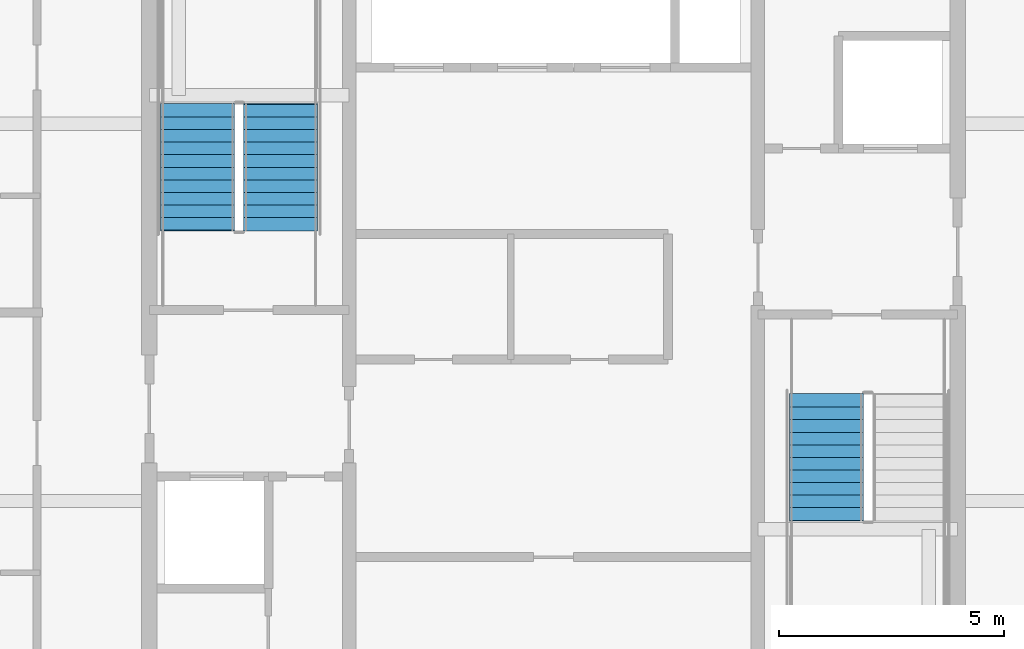
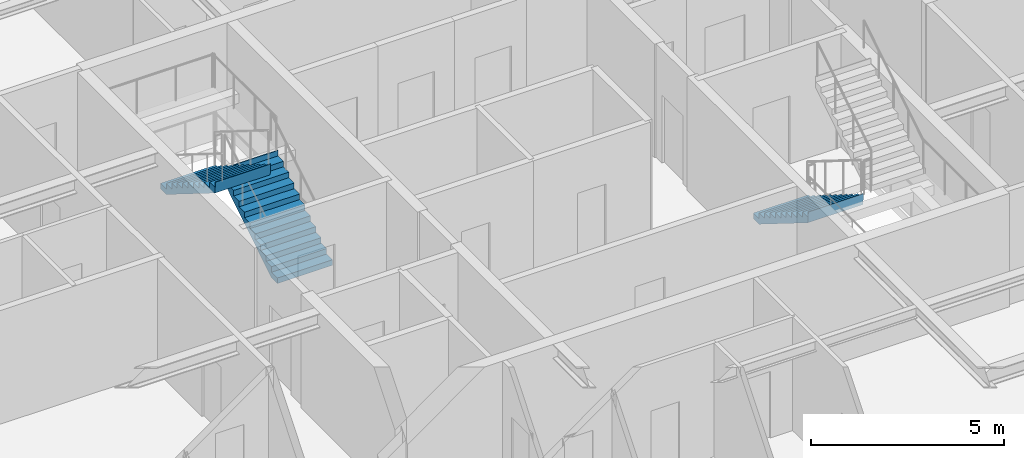
# One storey, part 31 of 38: 3 stair flights, 2 elements without a shape of their own.
"""IFC4 building model written with IfcOpenShell, lengths in metres."""

from ifc_helpers import new_model, si_unit, direction, frame, origin, place, context, subcontext, project, spatial, polygons, material, type_object, element, aggregate, save


model = new_model("IFC4")

# Units and contexts
model_context = context("Model", 3, precision=1e-05, world=origin(), true_north=direction((0.0, 1.0)))
body_context = subcontext(model_context, "Body", "Model", "MODEL_VIEW")
ifc_project = project(units=[si_unit("LENGTHUNIT", "METRE"), si_unit("AREAUNIT", "SQUARE_METRE"), si_unit("VOLUMEUNIT", "CUBIC_METRE"), si_unit("PLANEANGLEUNIT", "RADIAN"), si_unit("MASSUNIT", "GRAM", prefix="KILO")], contexts=[model_context])

# Site, building, storey
site_placement = place(None, origin())
site = spatial("IfcSite", under=ifc_project, at=site_placement, CompositionType="ELEMENT")
building_placement = place(site_placement, origin())
building = spatial("IfcBuilding", under=site, at=building_placement, Name="Serunith Strait Residences", CompositionType="ELEMENT")
storey_placement = place(building_placement, frame((0.0, 0.0, 264.35009765625)))
storey = spatial("IfcBuildingStorey", under=building, at=storey_placement, Name="L66", CompositionType="ELEMENT", Elevation=264.35009765625)

# Stair, stair flights
ifc_material = material(Name="Concrete C50/60", Category="concrete")
stair_type_1 = type_object("IfcStairType", Name="STR-CORE-1", PredefinedType="HALF_TURN_STAIR", material=ifc_material)
stair_1_placement = place(storey_placement, origin())
stair_1 = element("IfcStair", 1, at=stair_1_placement, inside=storey, type_object=stair_type_1, Name="L66 Protected Escape Stair ST-1", PredefinedType="HALF_TURN_STAIR")
stair_flight_type_1 = type_object("IfcStairFlightType", Name="FLT-CORE-1", PredefinedType="STRAIGHT", material=ifc_material)
stair_flight_1_placement = place(storey_placement, frame((26.324951171875, 27.030029296875, 0.0), z_axis=(0.0, 0.0, 1.0), x_axis=(0.0, 1.0, 0.0)))
stair_flight_1 = element("IfcStairFlight", 2, at=stair_flight_1_placement, type_object=stair_flight_type_1, Name="ST-1 flight 1", NumberOfRisers=11, NumberOfTreads=10, PredefinedType="STRAIGHT", RiserHeight=0.175, TreadLength=0.28, context=body_context, shape_type="Tessellation", body=[
    polygons([(-0.02001953125, -0.824951171875, 0.0), (-0.02001953125, -0.824951171875, 0.175048828125), (0.280029296875, -0.824951171875, 0.175048828125), (0.280029296875, -0.824951171875, 0.35009765625), (0.56005859375, -0.824951171875, 0.35009765625), (0.56005859375, -0.824951171875, 0.52490234375), (0.840087890625, -0.824951171875, 0.52490234375), (0.840087890625, -0.824951171875, 0.699951171875), (1.1201171875, -0.824951171875, 0.699951171875), (1.1201171875, -0.824951171875, 0.875), (1.39990234375, -0.824951171875, 0.875), (1.39990234375, -0.824951171875, 1.050048828125), (1.679931640625, -0.824951171875, 1.050048828125), (1.679931640625, -0.824951171875, 1.22509765625), (1.9599609375, -0.824951171875, 1.22509765625), (1.9599609375, -0.824951171875, 1.39990234375), (2.239990234375, -0.824951171875, 1.39990234375), (2.239990234375, -0.824951171875, 1.574951171875), (2.52001953125, -0.824951171875, 1.574951171875), (2.52001953125, -0.824951171875, 1.75), (2.800048828125, -0.824951171875, 1.75), (2.800048828125, -0.824951171875, 1.925048828125), (2.820068359375, -0.824951171875, 1.925048828125), (2.820068359375, -0.824951171875, 1.864990234375), (2.800048828125, -0.824951171875, 1.5732421875), (0.28271484375, -0.824951171875, 0.0), (-0.02001953125, -0.41259765625, 0.0), (-0.02001953125, -0.41259765625, 0.175048828125), (0.280029296875, -0.41259765625, 0.175048828125), (0.280029296875, -0.41259765625, 0.35009765625), (0.56005859375, -0.41259765625, 0.35009765625), (0.56005859375, -0.41259765625, 0.52490234375), (0.840087890625, -0.41259765625, 0.52490234375), (0.840087890625, -0.41259765625, 0.699951171875), (1.1201171875, -0.41259765625, 0.699951171875), (1.1201171875, -0.41259765625, 0.875), (1.39990234375, -0.41259765625, 0.875), (1.39990234375, -0.41259765625, 1.050048828125), (1.679931640625, -0.41259765625, 1.050048828125), (1.679931640625, -0.41259765625, 1.22509765625), (1.9599609375, -0.41259765625, 1.22509765625), (1.9599609375, -0.41259765625, 1.39990234375), (2.239990234375, -0.41259765625, 1.39990234375), (2.239990234375, -0.41259765625, 1.574951171875), (2.52001953125, -0.41259765625, 1.574951171875), (2.52001953125, -0.41259765625, 1.75), (2.800048828125, -0.41259765625, 1.75), (2.800048828125, -0.41259765625, 1.925048828125), (2.820068359375, -0.41259765625, 1.925048828125), (2.820068359375, -0.41259765625, 1.864990234375), (2.800048828125, -0.41259765625, 1.5732421875), (0.28271484375, -0.41259765625, 0.0), (-0.02001953125, 0.0, 0.0), (-0.02001953125, 0.0, 0.175048828125), (0.280029296875, 0.0, 0.175048828125), (0.280029296875, 0.0, 0.35009765625), (0.56005859375, 0.0, 0.35009765625), (0.56005859375, 0.0, 0.52490234375), (0.840087890625, 0.0, 0.52490234375), (0.840087890625, 0.0, 0.699951171875), (1.1201171875, 0.0, 0.699951171875), (1.1201171875, 0.0, 0.875), (1.39990234375, 0.0, 0.875), (1.39990234375, 0.0, 1.050048828125), (1.679931640625, 0.0, 1.050048828125), (1.679931640625, 0.0, 1.22509765625), (1.9599609375, 0.0, 1.22509765625), (1.9599609375, 0.0, 1.39990234375), (2.239990234375, 0.0, 1.39990234375), (2.239990234375, 0.0, 1.574951171875), (2.52001953125, 0.0, 1.574951171875), (2.52001953125, 0.0, 1.75), (2.800048828125, 0.0, 1.75), (2.800048828125, 0.0, 1.925048828125), (2.820068359375, 0.0, 1.925048828125), (2.820068359375, 0.0, 1.864990234375), (2.800048828125, 0.0, 1.5732421875), (0.28271484375, 0.0, 0.0), (-0.02001953125, 0.41259765625, 0.0), (-0.02001953125, 0.41259765625, 0.175048828125), (0.280029296875, 0.41259765625, 0.175048828125), (0.280029296875, 0.41259765625, 0.35009765625), (0.56005859375, 0.41259765625, 0.35009765625), (0.56005859375, 0.41259765625, 0.52490234375), (0.840087890625, 0.41259765625, 0.52490234375), (0.840087890625, 0.41259765625, 0.699951171875), (1.1201171875, 0.41259765625, 0.699951171875), (1.1201171875, 0.41259765625, 0.875), (1.39990234375, 0.41259765625, 0.875), (1.39990234375, 0.41259765625, 1.050048828125), (1.679931640625, 0.41259765625, 1.050048828125), (1.679931640625, 0.41259765625, 1.22509765625), (1.9599609375, 0.41259765625, 1.22509765625), (1.9599609375, 0.41259765625, 1.39990234375), (2.239990234375, 0.41259765625, 1.39990234375), (2.239990234375, 0.41259765625, 1.574951171875), (2.52001953125, 0.41259765625, 1.574951171875), (2.52001953125, 0.41259765625, 1.75), (2.800048828125, 0.41259765625, 1.75), (2.800048828125, 0.41259765625, 1.925048828125), (2.820068359375, 0.41259765625, 1.925048828125), (2.820068359375, 0.41259765625, 1.864990234375), (2.800048828125, 0.41259765625, 1.5732421875), (0.28271484375, 0.41259765625, 0.0), (-0.02001953125, 0.824951171875, 0.0), (-0.02001953125, 0.824951171875, 0.175048828125), (0.280029296875, 0.824951171875, 0.175048828125), (0.280029296875, 0.824951171875, 0.35009765625), (0.56005859375, 0.824951171875, 0.35009765625), (0.56005859375, 0.824951171875, 0.52490234375), (0.840087890625, 0.824951171875, 0.52490234375), (0.840087890625, 0.824951171875, 0.699951171875), (1.1201171875, 0.824951171875, 0.699951171875), (1.1201171875, 0.824951171875, 0.875), (1.39990234375, 0.824951171875, 0.875), (1.39990234375, 0.824951171875, 1.050048828125), (1.679931640625, 0.824951171875, 1.050048828125), (1.679931640625, 0.824951171875, 1.22509765625), (1.9599609375, 0.824951171875, 1.22509765625), (1.9599609375, 0.824951171875, 1.39990234375), (2.239990234375, 0.824951171875, 1.39990234375), (2.239990234375, 0.824951171875, 1.574951171875), (2.52001953125, 0.824951171875, 1.574951171875), (2.52001953125, 0.824951171875, 1.75), (2.800048828125, 0.824951171875, 1.75), (2.800048828125, 0.824951171875, 1.925048828125), (2.820068359375, 0.824951171875, 1.925048828125), (2.820068359375, 0.824951171875, 1.864990234375), (2.800048828125, 0.824951171875, 1.5732421875), (0.28271484375, 0.824951171875, 0.0)], [[[1, 2, 28, 27]], [[2, 3, 29, 28]], [[3, 4, 30, 29]], [[4, 5, 31, 30]], [[5, 6, 32, 31]], [[6, 7, 33, 32]], [[7, 8, 34, 33]], [[8, 9, 35, 34]], [[9, 10, 36, 35]], [[10, 11, 37, 36]], [[11, 12, 38, 37]], [[12, 13, 39, 38]], [[13, 14, 40, 39]], [[14, 15, 41, 40]], [[15, 16, 42, 41]], [[16, 17, 43, 42]], [[17, 18, 44, 43]], [[18, 19, 45, 44]], [[19, 20, 46, 45]], [[20, 21, 47, 46]], [[21, 22, 48, 47]], [[22, 23, 49, 48]], [[23, 24, 50, 49]], [[24, 25, 51, 50]], [[25, 26, 52, 51]], [[26, 1, 27, 52]], [[27, 28, 54, 53]], [[28, 29, 55, 54]], [[29, 30, 56, 55]], [[30, 31, 57, 56]], [[31, 32, 58, 57]], [[32, 33, 59, 58]], [[33, 34, 60, 59]], [[34, 35, 61, 60]], [[35, 36, 62, 61]], [[36, 37, 63, 62]], [[37, 38, 64, 63]], [[38, 39, 65, 64]], [[39, 40, 66, 65]], [[40, 41, 67, 66]], [[41, 42, 68, 67]], [[42, 43, 69, 68]], [[43, 44, 70, 69]], [[44, 45, 71, 70]], [[45, 46, 72, 71]], [[46, 47, 73, 72]], [[47, 48, 74, 73]], [[48, 49, 75, 74]], [[49, 50, 76, 75]], [[50, 51, 77, 76]], [[51, 52, 78, 77]], [[52, 27, 53, 78]], [[53, 54, 80, 79]], [[54, 55, 81, 80]], [[55, 56, 82, 81]], [[56, 57, 83, 82]], [[57, 58, 84, 83]], [[58, 59, 85, 84]], [[59, 60, 86, 85]], [[60, 61, 87, 86]], [[61, 62, 88, 87]], [[62, 63, 89, 88]], [[63, 64, 90, 89]], [[64, 65, 91, 90]], [[65, 66, 92, 91]], [[66, 67, 93, 92]], [[67, 68, 94, 93]], [[68, 69, 95, 94]], [[69, 70, 96, 95]], [[70, 71, 97, 96]], [[71, 72, 98, 97]], [[72, 73, 99, 98]], [[73, 74, 100, 99]], [[74, 75, 101, 100]], [[75, 76, 102, 101]], [[76, 77, 103, 102]], [[77, 78, 104, 103]], [[78, 53, 79, 104]], [[79, 80, 106, 105]], [[80, 81, 107, 106]], [[81, 82, 108, 107]], [[82, 83, 109, 108]], [[83, 84, 110, 109]], [[84, 85, 111, 110]], [[85, 86, 112, 111]], [[86, 87, 113, 112]], [[87, 88, 114, 113]], [[88, 89, 115, 114]], [[89, 90, 116, 115]], [[90, 91, 117, 116]], [[91, 92, 118, 117]], [[92, 93, 119, 118]], [[93, 94, 120, 119]], [[94, 95, 121, 120]], [[95, 96, 122, 121]], [[96, 97, 123, 122]], [[97, 98, 124, 123]], [[98, 99, 125, 124]], [[99, 100, 126, 125]], [[100, 101, 127, 126]], [[101, 102, 128, 127]], [[102, 103, 129, 128]], [[103, 104, 130, 129]], [[104, 79, 105, 130]], [[26, 25, 24, 23, 22, 21, 20, 19, 18, 17, 16, 15, 14, 13, 12, 11, 10, 9, 8, 7, 6, 5, 4, 3, 2, 1]], [[105, 106, 107, 108, 109, 110, 111, 112, 113, 114, 115, 116, 117, 118, 119, 120, 121, 122, 123, 124, 125, 126, 127, 128, 129, 130]]], closed=True),
])
stair_flight_2_placement = place(storey_placement, frame((24.47509765625, 29.830078125, 1.9248046875), z_axis=(0.0, 0.0, 1.0), x_axis=(0.0, -1.0, 0.0)))
stair_flight_2 = element("IfcStairFlight", 3, at=stair_flight_2_placement, type_object=stair_flight_type_1, Name="ST-1 flight 2", NumberOfRisers=11, NumberOfTreads=10, PredefinedType="STRAIGHT", RiserHeight=0.175, TreadLength=0.28, context=body_context, shape_type="Tessellation", body=[
    polygons([(-0.02001953125, -0.824951171875, 0.0), (-0.02001953125, -0.824951171875, 0.175048828125), (0.280029296875, -0.824951171875, 0.175048828125), (0.280029296875, -0.824951171875, 0.35009765625), (0.56005859375, -0.824951171875, 0.35009765625), (0.56005859375, -0.824951171875, 0.52490234375), (0.840087890625, -0.824951171875, 0.52490234375), (0.840087890625, -0.824951171875, 0.699951171875), (1.1201171875, -0.824951171875, 0.699951171875), (1.1201171875, -0.824951171875, 0.875), (1.39990234375, -0.824951171875, 0.875), (1.39990234375, -0.824951171875, 1.050048828125), (1.679931640625, -0.824951171875, 1.050048828125), (1.679931640625, -0.824951171875, 1.22509765625), (1.9599609375, -0.824951171875, 1.22509765625), (1.9599609375, -0.824951171875, 1.39990234375), (2.239990234375, -0.824951171875, 1.39990234375), (2.239990234375, -0.824951171875, 1.574951171875), (2.52001953125, -0.824951171875, 1.574951171875), (2.52001953125, -0.824951171875, 1.75), (2.800048828125, -0.824951171875, 1.75), (2.800048828125, -0.824951171875, 1.925048828125), (2.820068359375, -0.824951171875, 1.925048828125), (2.820068359375, -0.824951171875, 1.864990234375), (2.800048828125, -0.824951171875, 1.5732421875), (0.28271484375, -0.824951171875, 0.0), (-0.02001953125, -0.41259765625, 0.0), (-0.02001953125, -0.41259765625, 0.175048828125), (0.280029296875, -0.41259765625, 0.175048828125), (0.280029296875, -0.41259765625, 0.35009765625), (0.56005859375, -0.41259765625, 0.35009765625), (0.56005859375, -0.41259765625, 0.52490234375), (0.840087890625, -0.41259765625, 0.52490234375), (0.840087890625, -0.41259765625, 0.699951171875), (1.1201171875, -0.41259765625, 0.699951171875), (1.1201171875, -0.41259765625, 0.875), (1.39990234375, -0.41259765625, 0.875), (1.39990234375, -0.41259765625, 1.050048828125), (1.679931640625, -0.41259765625, 1.050048828125), (1.679931640625, -0.41259765625, 1.22509765625), (1.9599609375, -0.41259765625, 1.22509765625), (1.9599609375, -0.41259765625, 1.39990234375), (2.239990234375, -0.41259765625, 1.39990234375), (2.239990234375, -0.41259765625, 1.574951171875), (2.52001953125, -0.41259765625, 1.574951171875), (2.52001953125, -0.41259765625, 1.75), (2.800048828125, -0.41259765625, 1.75), (2.800048828125, -0.41259765625, 1.925048828125), (2.820068359375, -0.41259765625, 1.925048828125), (2.820068359375, -0.41259765625, 1.864990234375), (2.800048828125, -0.41259765625, 1.5732421875), (0.28271484375, -0.41259765625, 0.0), (-0.02001953125, 0.0, 0.0), (-0.02001953125, 0.0, 0.175048828125), (0.280029296875, 0.0, 0.175048828125), (0.280029296875, 0.0, 0.35009765625), (0.56005859375, 0.0, 0.35009765625), (0.56005859375, 0.0, 0.52490234375), (0.840087890625, 0.0, 0.52490234375), (0.840087890625, 0.0, 0.699951171875), (1.1201171875, 0.0, 0.699951171875), (1.1201171875, 0.0, 0.875), (1.39990234375, 0.0, 0.875), (1.39990234375, 0.0, 1.050048828125), (1.679931640625, 0.0, 1.050048828125), (1.679931640625, 0.0, 1.22509765625), (1.9599609375, 0.0, 1.22509765625), (1.9599609375, 0.0, 1.39990234375), (2.239990234375, 0.0, 1.39990234375), (2.239990234375, 0.0, 1.574951171875), (2.52001953125, 0.0, 1.574951171875), (2.52001953125, 0.0, 1.75), (2.800048828125, 0.0, 1.75), (2.800048828125, 0.0, 1.925048828125), (2.820068359375, 0.0, 1.925048828125), (2.820068359375, 0.0, 1.864990234375), (2.800048828125, 0.0, 1.5732421875), (0.28271484375, 0.0, 0.0), (-0.02001953125, 0.41259765625, 0.0), (-0.02001953125, 0.41259765625, 0.175048828125), (0.280029296875, 0.41259765625, 0.175048828125), (0.280029296875, 0.41259765625, 0.35009765625), (0.56005859375, 0.41259765625, 0.35009765625), (0.56005859375, 0.41259765625, 0.52490234375), (0.840087890625, 0.41259765625, 0.52490234375), (0.840087890625, 0.41259765625, 0.699951171875), (1.1201171875, 0.41259765625, 0.699951171875), (1.1201171875, 0.41259765625, 0.875), (1.39990234375, 0.41259765625, 0.875), (1.39990234375, 0.41259765625, 1.050048828125), (1.679931640625, 0.41259765625, 1.050048828125), (1.679931640625, 0.41259765625, 1.22509765625), (1.9599609375, 0.41259765625, 1.22509765625), (1.9599609375, 0.41259765625, 1.39990234375), (2.239990234375, 0.41259765625, 1.39990234375), (2.239990234375, 0.41259765625, 1.574951171875), (2.52001953125, 0.41259765625, 1.574951171875), (2.52001953125, 0.41259765625, 1.75), (2.800048828125, 0.41259765625, 1.75), (2.800048828125, 0.41259765625, 1.925048828125), (2.820068359375, 0.41259765625, 1.925048828125), (2.820068359375, 0.41259765625, 1.864990234375), (2.800048828125, 0.41259765625, 1.5732421875), (0.28271484375, 0.41259765625, 0.0), (-0.02001953125, 0.824951171875, 0.0), (-0.02001953125, 0.824951171875, 0.175048828125), (0.280029296875, 0.824951171875, 0.175048828125), (0.280029296875, 0.824951171875, 0.35009765625), (0.56005859375, 0.824951171875, 0.35009765625), (0.56005859375, 0.824951171875, 0.52490234375), (0.840087890625, 0.824951171875, 0.52490234375), (0.840087890625, 0.824951171875, 0.699951171875), (1.1201171875, 0.824951171875, 0.699951171875), (1.1201171875, 0.824951171875, 0.875), (1.39990234375, 0.824951171875, 0.875), (1.39990234375, 0.824951171875, 1.050048828125), (1.679931640625, 0.824951171875, 1.050048828125), (1.679931640625, 0.824951171875, 1.22509765625), (1.9599609375, 0.824951171875, 1.22509765625), (1.9599609375, 0.824951171875, 1.39990234375), (2.239990234375, 0.824951171875, 1.39990234375), (2.239990234375, 0.824951171875, 1.574951171875), (2.52001953125, 0.824951171875, 1.574951171875), (2.52001953125, 0.824951171875, 1.75), (2.800048828125, 0.824951171875, 1.75), (2.800048828125, 0.824951171875, 1.925048828125), (2.820068359375, 0.824951171875, 1.925048828125), (2.820068359375, 0.824951171875, 1.864990234375), (2.800048828125, 0.824951171875, 1.5732421875), (0.28271484375, 0.824951171875, 0.0)], [[[1, 2, 28, 27]], [[2, 3, 29, 28]], [[3, 4, 30, 29]], [[4, 5, 31, 30]], [[5, 6, 32, 31]], [[6, 7, 33, 32]], [[7, 8, 34, 33]], [[8, 9, 35, 34]], [[9, 10, 36, 35]], [[10, 11, 37, 36]], [[11, 12, 38, 37]], [[12, 13, 39, 38]], [[13, 14, 40, 39]], [[14, 15, 41, 40]], [[15, 16, 42, 41]], [[16, 17, 43, 42]], [[17, 18, 44, 43]], [[18, 19, 45, 44]], [[19, 20, 46, 45]], [[20, 21, 47, 46]], [[21, 22, 48, 47]], [[22, 23, 49, 48]], [[23, 24, 50, 49]], [[24, 25, 51, 50]], [[25, 26, 52, 51]], [[26, 1, 27, 52]], [[27, 28, 54, 53]], [[28, 29, 55, 54]], [[29, 30, 56, 55]], [[30, 31, 57, 56]], [[31, 32, 58, 57]], [[32, 33, 59, 58]], [[33, 34, 60, 59]], [[34, 35, 61, 60]], [[35, 36, 62, 61]], [[36, 37, 63, 62]], [[37, 38, 64, 63]], [[38, 39, 65, 64]], [[39, 40, 66, 65]], [[40, 41, 67, 66]], [[41, 42, 68, 67]], [[42, 43, 69, 68]], [[43, 44, 70, 69]], [[44, 45, 71, 70]], [[45, 46, 72, 71]], [[46, 47, 73, 72]], [[47, 48, 74, 73]], [[48, 49, 75, 74]], [[49, 50, 76, 75]], [[50, 51, 77, 76]], [[51, 52, 78, 77]], [[52, 27, 53, 78]], [[53, 54, 80, 79]], [[54, 55, 81, 80]], [[55, 56, 82, 81]], [[56, 57, 83, 82]], [[57, 58, 84, 83]], [[58, 59, 85, 84]], [[59, 60, 86, 85]], [[60, 61, 87, 86]], [[61, 62, 88, 87]], [[62, 63, 89, 88]], [[63, 64, 90, 89]], [[64, 65, 91, 90]], [[65, 66, 92, 91]], [[66, 67, 93, 92]], [[67, 68, 94, 93]], [[68, 69, 95, 94]], [[69, 70, 96, 95]], [[70, 71, 97, 96]], [[71, 72, 98, 97]], [[72, 73, 99, 98]], [[73, 74, 100, 99]], [[74, 75, 101, 100]], [[75, 76, 102, 101]], [[76, 77, 103, 102]], [[77, 78, 104, 103]], [[78, 53, 79, 104]], [[79, 80, 106, 105]], [[80, 81, 107, 106]], [[81, 82, 108, 107]], [[82, 83, 109, 108]], [[83, 84, 110, 109]], [[84, 85, 111, 110]], [[85, 86, 112, 111]], [[86, 87, 113, 112]], [[87, 88, 114, 113]], [[88, 89, 115, 114]], [[89, 90, 116, 115]], [[90, 91, 117, 116]], [[91, 92, 118, 117]], [[92, 93, 119, 118]], [[93, 94, 120, 119]], [[94, 95, 121, 120]], [[95, 96, 122, 121]], [[96, 97, 123, 122]], [[97, 98, 124, 123]], [[98, 99, 125, 124]], [[99, 100, 126, 125]], [[100, 101, 127, 126]], [[101, 102, 128, 127]], [[102, 103, 129, 128]], [[103, 104, 130, 129]], [[104, 79, 105, 130]], [[26, 25, 24, 23, 22, 21, 20, 19, 18, 17, 16, 15, 14, 13, 12, 11, 10, 9, 8, 7, 6, 5, 4, 3, 2, 1]], [[105, 106, 107, 108, 109, 110, 111, 112, 113, 114, 115, 116, 117, 118, 119, 120, 121, 122, 123, 124, 125, 126, 127, 128, 129, 130]]], closed=True),
])
aggregate(stair_1, [stair_flight_1, stair_flight_2])

# Stair, stair flight
stair_type_2 = type_object("IfcStairType", Name="STR-CORE-2", PredefinedType="HALF_TURN_STAIR", material=ifc_material)
stair_2_placement = place(storey_placement, origin())
stair_2 = element("IfcStair", 4, at=stair_2_placement, inside=storey, type_object=stair_type_2, Name="L66 Protected Escape Stair ST-2", PredefinedType="HALF_TURN_STAIR")
stair_flight_type_2 = type_object("IfcStairFlightType", Name="FLT-CORE-2", PredefinedType="STRAIGHT", material=ifc_material)
stair_flight_3_placement = place(storey_placement, frame((38.47509765625, 23.3701171875, 0.0), z_axis=(0.0, 0.0, 1.0), x_axis=(0.0, -1.0, 0.0)))
stair_flight_3 = element("IfcStairFlight", 5, at=stair_flight_3_placement, type_object=stair_flight_type_2, Name="ST-2 flight 1", NumberOfRisers=11, NumberOfTreads=10, PredefinedType="STRAIGHT", RiserHeight=0.175, TreadLength=0.28, context=body_context, shape_type="Tessellation", body=[
    polygons([(-0.02001953125, -0.824951171875, 0.0), (-0.02001953125, -0.824951171875, 0.175048828125), (0.280029296875, -0.824951171875, 0.175048828125), (0.280029296875, -0.824951171875, 0.35009765625), (0.56005859375, -0.824951171875, 0.35009765625), (0.56005859375, -0.824951171875, 0.52490234375), (0.840087890625, -0.824951171875, 0.52490234375), (0.840087890625, -0.824951171875, 0.699951171875), (1.1201171875, -0.824951171875, 0.699951171875), (1.1201171875, -0.824951171875, 0.875), (1.39990234375, -0.824951171875, 0.875), (1.39990234375, -0.824951171875, 1.050048828125), (1.679931640625, -0.824951171875, 1.050048828125), (1.679931640625, -0.824951171875, 1.22509765625), (1.9599609375, -0.824951171875, 1.22509765625), (1.9599609375, -0.824951171875, 1.39990234375), (2.239990234375, -0.824951171875, 1.39990234375), (2.239990234375, -0.824951171875, 1.574951171875), (2.52001953125, -0.824951171875, 1.574951171875), (2.52001953125, -0.824951171875, 1.75), (2.800048828125, -0.824951171875, 1.75), (2.800048828125, -0.824951171875, 1.925048828125), (2.820068359375, -0.824951171875, 1.925048828125), (2.820068359375, -0.824951171875, 1.864990234375), (2.800048828125, -0.824951171875, 1.5732421875), (0.28271484375, -0.824951171875, 0.0), (-0.02001953125, -0.41259765625, 0.0), (-0.02001953125, -0.41259765625, 0.175048828125), (0.280029296875, -0.41259765625, 0.175048828125), (0.280029296875, -0.41259765625, 0.35009765625), (0.56005859375, -0.41259765625, 0.35009765625), (0.56005859375, -0.41259765625, 0.52490234375), (0.840087890625, -0.41259765625, 0.52490234375), (0.840087890625, -0.41259765625, 0.699951171875), (1.1201171875, -0.41259765625, 0.699951171875), (1.1201171875, -0.41259765625, 0.875), (1.39990234375, -0.41259765625, 0.875), (1.39990234375, -0.41259765625, 1.050048828125), (1.679931640625, -0.41259765625, 1.050048828125), (1.679931640625, -0.41259765625, 1.22509765625), (1.9599609375, -0.41259765625, 1.22509765625), (1.9599609375, -0.41259765625, 1.39990234375), (2.239990234375, -0.41259765625, 1.39990234375), (2.239990234375, -0.41259765625, 1.574951171875), (2.52001953125, -0.41259765625, 1.574951171875), (2.52001953125, -0.41259765625, 1.75), (2.800048828125, -0.41259765625, 1.75), (2.800048828125, -0.41259765625, 1.925048828125), (2.820068359375, -0.41259765625, 1.925048828125), (2.820068359375, -0.41259765625, 1.864990234375), (2.800048828125, -0.41259765625, 1.5732421875), (0.28271484375, -0.41259765625, 0.0), (-0.02001953125, 0.0, 0.0), (-0.02001953125, 0.0, 0.175048828125), (0.280029296875, 0.0, 0.175048828125), (0.280029296875, 0.0, 0.35009765625), (0.56005859375, 0.0, 0.35009765625), (0.56005859375, 0.0, 0.52490234375), (0.840087890625, 0.0, 0.52490234375), (0.840087890625, 0.0, 0.699951171875), (1.1201171875, 0.0, 0.699951171875), (1.1201171875, 0.0, 0.875), (1.39990234375, 0.0, 0.875), (1.39990234375, 0.0, 1.050048828125), (1.679931640625, 0.0, 1.050048828125), (1.679931640625, 0.0, 1.22509765625), (1.9599609375, 0.0, 1.22509765625), (1.9599609375, 0.0, 1.39990234375), (2.239990234375, 0.0, 1.39990234375), (2.239990234375, 0.0, 1.574951171875), (2.52001953125, 0.0, 1.574951171875), (2.52001953125, 0.0, 1.75), (2.800048828125, 0.0, 1.75), (2.800048828125, 0.0, 1.925048828125), (2.820068359375, 0.0, 1.925048828125), (2.820068359375, 0.0, 1.864990234375), (2.800048828125, 0.0, 1.5732421875), (0.28271484375, 0.0, 0.0), (-0.02001953125, 0.41259765625, 0.0), (-0.02001953125, 0.41259765625, 0.175048828125), (0.280029296875, 0.41259765625, 0.175048828125), (0.280029296875, 0.41259765625, 0.35009765625), (0.56005859375, 0.41259765625, 0.35009765625), (0.56005859375, 0.41259765625, 0.52490234375), (0.840087890625, 0.41259765625, 0.52490234375), (0.840087890625, 0.41259765625, 0.699951171875), (1.1201171875, 0.41259765625, 0.699951171875), (1.1201171875, 0.41259765625, 0.875), (1.39990234375, 0.41259765625, 0.875), (1.39990234375, 0.41259765625, 1.050048828125), (1.679931640625, 0.41259765625, 1.050048828125), (1.679931640625, 0.41259765625, 1.22509765625), (1.9599609375, 0.41259765625, 1.22509765625), (1.9599609375, 0.41259765625, 1.39990234375), (2.239990234375, 0.41259765625, 1.39990234375), (2.239990234375, 0.41259765625, 1.574951171875), (2.52001953125, 0.41259765625, 1.574951171875), (2.52001953125, 0.41259765625, 1.75), (2.800048828125, 0.41259765625, 1.75), (2.800048828125, 0.41259765625, 1.925048828125), (2.820068359375, 0.41259765625, 1.925048828125), (2.820068359375, 0.41259765625, 1.864990234375), (2.800048828125, 0.41259765625, 1.5732421875), (0.28271484375, 0.41259765625, 0.0), (-0.02001953125, 0.824951171875, 0.0), (-0.02001953125, 0.824951171875, 0.175048828125), (0.280029296875, 0.824951171875, 0.175048828125), (0.280029296875, 0.824951171875, 0.35009765625), (0.56005859375, 0.824951171875, 0.35009765625), (0.56005859375, 0.824951171875, 0.52490234375), (0.840087890625, 0.824951171875, 0.52490234375), (0.840087890625, 0.824951171875, 0.699951171875), (1.1201171875, 0.824951171875, 0.699951171875), (1.1201171875, 0.824951171875, 0.875), (1.39990234375, 0.824951171875, 0.875), (1.39990234375, 0.824951171875, 1.050048828125), (1.679931640625, 0.824951171875, 1.050048828125), (1.679931640625, 0.824951171875, 1.22509765625), (1.9599609375, 0.824951171875, 1.22509765625), (1.9599609375, 0.824951171875, 1.39990234375), (2.239990234375, 0.824951171875, 1.39990234375), (2.239990234375, 0.824951171875, 1.574951171875), (2.52001953125, 0.824951171875, 1.574951171875), (2.52001953125, 0.824951171875, 1.75), (2.800048828125, 0.824951171875, 1.75), (2.800048828125, 0.824951171875, 1.925048828125), (2.820068359375, 0.824951171875, 1.925048828125), (2.820068359375, 0.824951171875, 1.864990234375), (2.800048828125, 0.824951171875, 1.5732421875), (0.28271484375, 0.824951171875, 0.0)], [[[1, 2, 28, 27]], [[2, 3, 29, 28]], [[3, 4, 30, 29]], [[4, 5, 31, 30]], [[5, 6, 32, 31]], [[6, 7, 33, 32]], [[7, 8, 34, 33]], [[8, 9, 35, 34]], [[9, 10, 36, 35]], [[10, 11, 37, 36]], [[11, 12, 38, 37]], [[12, 13, 39, 38]], [[13, 14, 40, 39]], [[14, 15, 41, 40]], [[15, 16, 42, 41]], [[16, 17, 43, 42]], [[17, 18, 44, 43]], [[18, 19, 45, 44]], [[19, 20, 46, 45]], [[20, 21, 47, 46]], [[21, 22, 48, 47]], [[22, 23, 49, 48]], [[23, 24, 50, 49]], [[24, 25, 51, 50]], [[25, 26, 52, 51]], [[26, 1, 27, 52]], [[27, 28, 54, 53]], [[28, 29, 55, 54]], [[29, 30, 56, 55]], [[30, 31, 57, 56]], [[31, 32, 58, 57]], [[32, 33, 59, 58]], [[33, 34, 60, 59]], [[34, 35, 61, 60]], [[35, 36, 62, 61]], [[36, 37, 63, 62]], [[37, 38, 64, 63]], [[38, 39, 65, 64]], [[39, 40, 66, 65]], [[40, 41, 67, 66]], [[41, 42, 68, 67]], [[42, 43, 69, 68]], [[43, 44, 70, 69]], [[44, 45, 71, 70]], [[45, 46, 72, 71]], [[46, 47, 73, 72]], [[47, 48, 74, 73]], [[48, 49, 75, 74]], [[49, 50, 76, 75]], [[50, 51, 77, 76]], [[51, 52, 78, 77]], [[52, 27, 53, 78]], [[53, 54, 80, 79]], [[54, 55, 81, 80]], [[55, 56, 82, 81]], [[56, 57, 83, 82]], [[57, 58, 84, 83]], [[58, 59, 85, 84]], [[59, 60, 86, 85]], [[60, 61, 87, 86]], [[61, 62, 88, 87]], [[62, 63, 89, 88]], [[63, 64, 90, 89]], [[64, 65, 91, 90]], [[65, 66, 92, 91]], [[66, 67, 93, 92]], [[67, 68, 94, 93]], [[68, 69, 95, 94]], [[69, 70, 96, 95]], [[70, 71, 97, 96]], [[71, 72, 98, 97]], [[72, 73, 99, 98]], [[73, 74, 100, 99]], [[74, 75, 101, 100]], [[75, 76, 102, 101]], [[76, 77, 103, 102]], [[77, 78, 104, 103]], [[78, 53, 79, 104]], [[79, 80, 106, 105]], [[80, 81, 107, 106]], [[81, 82, 108, 107]], [[82, 83, 109, 108]], [[83, 84, 110, 109]], [[84, 85, 111, 110]], [[85, 86, 112, 111]], [[86, 87, 113, 112]], [[87, 88, 114, 113]], [[88, 89, 115, 114]], [[89, 90, 116, 115]], [[90, 91, 117, 116]], [[91, 92, 118, 117]], [[92, 93, 119, 118]], [[93, 94, 120, 119]], [[94, 95, 121, 120]], [[95, 96, 122, 121]], [[96, 97, 123, 122]], [[97, 98, 124, 123]], [[98, 99, 125, 124]], [[99, 100, 126, 125]], [[100, 101, 127, 126]], [[101, 102, 128, 127]], [[102, 103, 129, 128]], [[103, 104, 130, 129]], [[104, 79, 105, 130]], [[26, 25, 24, 23, 22, 21, 20, 19, 18, 17, 16, 15, 14, 13, 12, 11, 10, 9, 8, 7, 6, 5, 4, 3, 2, 1]], [[105, 106, 107, 108, 109, 110, 111, 112, 113, 114, 115, 116, 117, 118, 119, 120, 121, 122, 123, 124, 125, 126, 127, 128, 129, 130]]], closed=True),
])
aggregate(stair_2, [stair_flight_3])

save(model, "model.ifc")
